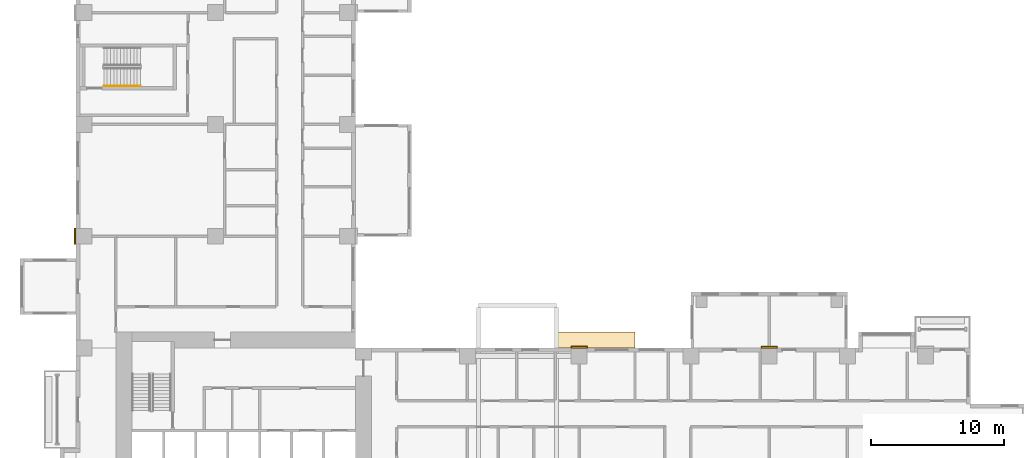
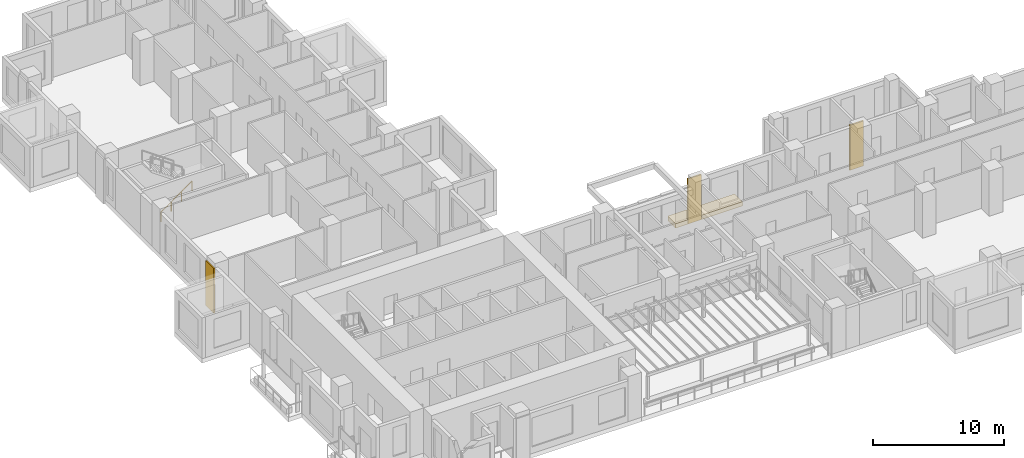
# One storey, part 15 of 17: 4 coverings, 1 railing.
"""IFC4 building model written with IfcOpenShell, lengths in metres."""

import ifcopenshell
import ifcopenshell.guid

model = None  # the IFC model being written
_history = None  # IfcOwnerHistory: only IFC2X3 demands one
_inside = {}  # id of a spatial element -> (the spatial element, [elements in it])
_under = {}  # id of a project, library or spatial element -> (it, [spatial elements below it])
_declared = {}  # id of a project -> (the project, [libraries it declares])
_typed = {}  # id of a type object -> (the type object, [elements of that type])
_made_of = {}  # id of a material, layer set ... -> (it, [elements and type objects made of it])


def new_model(schema):
    """Start an empty IFC model of exactly this schema.

    Asked for "IFC4X3", IfcOpenShell would pick the latest addendum, in which some entities
    have other attributes; the version numbers below select the first issue.
    IFC2X3 requires an IfcOwnerHistory on every rooted entity: one is made here for all.
    """
    global model, _history
    if schema == "IFC4X3":
        model = ifcopenshell.file(schema_version=(4, 3, 0, 0))
    else:
        model = ifcopenshell.file(schema=schema)
    _inside.clear()
    _under.clear()
    _declared.clear()
    _typed.clear()
    _made_of.clear()
    _history = None
    if model.schema == "IFC2X3":
        org = make("IfcOrganization", Name="unknown")
        user = make(
            "IfcPersonAndOrganization",
            ThePerson=make("IfcPerson", FamilyName="unknown"),
            TheOrganization=org,
        )
        app = make(
            "IfcApplication",
            ApplicationDeveloper=org,
            Version="unknown",
            ApplicationFullName="unknown",
            ApplicationIdentifier="unknown",
        )
        _history = make(
            "IfcOwnerHistory",
            OwningUser=user,
            OwningApplication=app,
            ChangeAction="ADDED",
            CreationDate=0,
        )
    return model


def make(cls, **values):
    """One entity of the class cls with the attributes given. An attribute that is None is left unset."""
    return model.create_entity(
        cls, **{name: value for name, value in values.items() if value is not None}
    )


def rooted(cls, **values):
    """An entity with a GlobalId (a new one), such as an element, a storey or a relation."""
    return make(cls, GlobalId=ifcopenshell.guid.new(), OwnerHistory=_history, **values)


def si_unit(unit_type, name, prefix=None):
    """IfcSIUnit, for example si_unit("LENGTHUNIT", "METRE", prefix="MILLI")."""
    return make("IfcSIUnit", UnitType=unit_type, Prefix=prefix, Name=name)


def assignment(units):
    """IfcUnitAssignment: the units of a project."""
    return None if units is None else make("IfcUnitAssignment", Units=units)


def point(xyz):
    """IfcCartesianPoint."""
    return None if xyz is None else make("IfcCartesianPoint", Coordinates=xyz)


def direction(xyz):
    """IfcDirection."""
    return None if xyz is None else make("IfcDirection", DirectionRatios=xyz)


def frame(location, z_axis=None, x_axis=None):
    """IfcAxis2Placement3D, a coordinate frame: its origin and axes. An axis left out is left unset."""
    return make(
        "IfcAxis2Placement3D",
        Location=point(location),
        Axis=direction(z_axis),
        RefDirection=direction(x_axis),
    )


def frame_2d(location, x_axis=None):
    """IfcAxis2Placement2D, a coordinate frame in the plane: its origin and x axis."""
    return make(
        "IfcAxis2Placement2D", Location=point(location), RefDirection=direction(x_axis)
    )


def origin():
    """The frame at (0, 0, 0) with its axes left unset."""
    return frame((0.0, 0.0, 0.0))


def origin_2d():
    """The frame at (0, 0) in the plane with its x axis left unset."""
    return frame_2d((0.0, 0.0))


def place(relative_to, where):
    """IfcLocalPlacement: puts the frame where relative to a parent placement (None: the world)."""
    return make(
        "IfcLocalPlacement", PlacementRelTo=relative_to, RelativePlacement=where
    )


def context(
    kind, dimensions, precision=None, world=None, true_north=None, identifier=None
):
    """IfcGeometricRepresentationContext, for example the 3D "Model" context."""
    return make(
        "IfcGeometricRepresentationContext",
        ContextIdentifier=identifier,
        ContextType=kind,
        CoordinateSpaceDimension=dimensions,
        Precision=precision,
        WorldCoordinateSystem=world,
        TrueNorth=true_north,
    )


def subcontext(parent, identifier, kind, view, scale=None):
    """IfcGeometricRepresentationSubContext, for example "Body" below "Model"."""
    return make(
        "IfcGeometricRepresentationSubContext",
        ContextIdentifier=identifier,
        ContextType=kind,
        ParentContext=parent,
        TargetScale=scale,
        TargetView=view,
    )


def project(units=None, contexts=None):
    """IfcProject with its units and contexts."""
    return rooted(
        "IfcProject",
        Name="project",
        RepresentationContexts=contexts,
        UnitsInContext=assignment(units),
    )


def spatial(cls, under=None, at=None, **own):
    """A site, building, storey or space (cls), placed at a placement, below another one or the project."""
    s = rooted(cls, ObjectPlacement=at, **own)
    if under is not None:
        _under.setdefault(under.id(), (under, []))[1].append(s)
    return s


def polyline(points):
    """IfcPolyline through the points."""
    return make("IfcPolyline", Points=[point(p) for p in points])


def profile(cls, at=None, kind="AREA", **sizes):
    """A parametric profile (cls). Its sizes go by their IFC names, for example OverallWidth=200.0."""
    return make(cls, ProfileType=kind, Position=at, **sizes)


def rectangle(**sizes):
    """IfcRectangleProfileDef."""
    return profile("IfcRectangleProfileDef", **sizes)


def circle(**sizes):
    """IfcCircleProfileDef."""
    return profile("IfcCircleProfileDef", **sizes)


def outline(outer, holes=None, kind="AREA"):
    """IfcArbitraryClosedProfileDef: a profile drawn as a closed curve; with holes, ...WithVoids."""
    if holes is None:
        return make("IfcArbitraryClosedProfileDef", ProfileType=kind, OuterCurve=outer)
    return make(
        "IfcArbitraryProfileDefWithVoids",
        ProfileType=kind,
        OuterCurve=outer,
        InnerCurves=holes,
    )


def extrude(swept, where, along, depth):
    """IfcExtrudedAreaSolid: the profile swept, set in the frame where, extruded along a direction by depth."""
    return make(
        "IfcExtrudedAreaSolid",
        SweptArea=swept,
        Position=where,
        ExtrudedDirection=direction(along),
        Depth=depth,
    )


def shape(context_of_items, identifier, shape_type, items):
    """IfcShapeRepresentation: the items that make up one representation, for example the "Body"."""
    return make(
        "IfcShapeRepresentation",
        ContextOfItems=context_of_items,
        RepresentationIdentifier=identifier,
        RepresentationType=shape_type,
        Items=items,
    )


def source(mapping_origin, context_of_items, identifier, shape_type, items):
    """IfcRepresentationMap: a shape defined once, which mapped items show again and again."""
    return make(
        "IfcRepresentationMap",
        MappingOrigin=mapping_origin,
        MappedRepresentation=shape(context_of_items, identifier, shape_type, items),
    )


def transform(
    local_origin,
    x_axis=None,
    y_axis=None,
    z_axis=None,
    scale=None,
    scale2=None,
    scale3=None,
    uniform=True,
):
    """IfcCartesianTransformationOperator3D, or its non-uniform kind. x_axis, y_axis, z_axis: its Axis1, 2, 3."""
    if uniform:
        return make(
            "IfcCartesianTransformationOperator3D",
            Axis1=direction(x_axis),
            Axis2=direction(y_axis),
            LocalOrigin=point(local_origin),
            Scale=scale,
            Axis3=direction(z_axis),
        )
    return make(
        "IfcCartesianTransformationOperator3DnonUniform",
        Axis1=direction(x_axis),
        Axis2=direction(y_axis),
        LocalOrigin=point(local_origin),
        Scale=scale,
        Axis3=direction(z_axis),
        Scale2=scale2,
        Scale3=scale3,
    )


def mapped(mapping_source, mapping_target):
    """IfcMappedItem: shows the shape of a source again, moved by a transform."""
    return make(
        "IfcMappedItem", MappingSource=mapping_source, MappingTarget=mapping_target
    )


def material(Name=None, Category=None):
    """IfcMaterial."""
    return make("IfcMaterial", Name=Name, Category=Category)


def made_of(thing, what):
    """Note that an element or type object is made of a material, layer set ...; save() writes the relation."""
    if what is not None:
        _made_of.setdefault(what.id(), (what, []))[1].append(thing)
    return thing


def type_object(cls, material=None, **own):
    """A type object (cls), such as IfcWallType, which elements share."""
    return made_of(rooted(cls, **own), material)


def element(
    cls,
    number,
    at=None,
    inside=None,
    cuts=None,
    type_object=None,
    material=None,
    context=None,
    identifier="Body",
    shape_type=None,
    held_by="IfcProductDefinitionShape",
    body=None,
    shapes=None,
    **own,
):
    """One element of the class cls, such as IfcWall. Its Tag is "e" and its number.

    at: its placement. inside: the storey or other place that contains it. cuts: it is an
    opening in that element (IfcRelVoidsElement). A single representation is given by context,
    identifier, shape_type and body (its items); several are given by shapes. held_by: the class
    of the entity that holds the representations. save() writes the other relations.
    """
    e = rooted(cls, Tag="e%d" % number, ObjectPlacement=at, **own)
    if body is not None:
        shapes = [shape(context, identifier, shape_type, body)]
    if shapes is not None:
        e.Representation = make(held_by, Representations=shapes)
    if inside is not None:
        _inside.setdefault(inside.id(), (inside, []))[1].append(e)
    if cuts is not None:
        rooted(
            "IfcRelVoidsElement", RelatingBuildingElement=cuts, RelatedOpeningElement=e
        )
    if type_object is not None:
        _typed.setdefault(type_object.id(), (type_object, []))[1].append(e)
    return made_of(e, material)


def aggregate(whole, parts):
    """IfcRelAggregates: a whole, such as a stair, and the parts it consists of."""
    return rooted("IfcRelAggregates", RelatingObject=whole, RelatedObjects=parts)


def save(model, path):
    """Write the relations noted so far, then the file.

    IfcRelAggregates (storeys below a building ...), IfcRelContainedInSpatialStructure (elements
    in a storey), IfcRelDefinesByType, IfcRelAssociatesMaterial and IfcRelDeclares: one each for
    every whole, place, type object, material and project.
    """
    for whole, parts in _under.values():
        aggregate(whole, parts)
    for where, things in _inside.values():
        rooted(
            "IfcRelContainedInSpatialStructure",
            RelatedElements=things,
            RelatingStructure=where,
        )
    for kind, things in _typed.values():
        rooted("IfcRelDefinesByType", RelatedObjects=things, RelatingType=kind)
    for what, things in _made_of.values():
        rooted("IfcRelAssociatesMaterial", RelatedObjects=things, RelatingMaterial=what)
    for by, libraries in _declared.values():
        rooted("IfcRelDeclares", RelatingContext=by, RelatedDefinitions=libraries)
    model.write(path)


model = new_model("IFC4")

# Units and contexts
model_context = context("Model", 3, precision=1e-05, world=origin(), true_north=direction((0.0, 1.0)))
body_context = subcontext(model_context, "Body", "Model", "MODEL_VIEW")
ifc_project = project(units=[si_unit("LENGTHUNIT", "METRE"), si_unit("AREAUNIT", "SQUARE_METRE"), si_unit("VOLUMEUNIT", "CUBIC_METRE"), si_unit("PLANEANGLEUNIT", "RADIAN"), si_unit("MASSUNIT", "GRAM", prefix="KILO")], contexts=[model_context])

# Site, building, storey
site_placement = place(None, origin())
site = spatial("IfcSite", under=ifc_project, at=site_placement, CompositionType="ELEMENT")
building_placement = place(site_placement, origin())
building = spatial("IfcBuilding", under=site, at=building_placement, Name="Aurelian Terraces", CompositionType="ELEMENT")
storey_placement = place(building_placement, frame((0.0, 0.0, 48.9)))
storey = spatial("IfcBuildingStorey", under=building, at=storey_placement, Name="L09", CompositionType="ELEMENT", Elevation=48.9)

# Coverings
ifc_material_1 = material(Name="Terracotta roof tiles on membrane", Category="masonry")
covering_type_1 = type_object("IfcCoveringType", Name="Bay roof cover", PredefinedType="ROOFING", material=ifc_material_1)
covering_1_placement = place(storey_placement, frame((0.0, 0.0, -0.4)))
element("IfcCovering", 1, at=covering_1_placement, inside=storey, type_object=covering_type_1, Name="Bay roof L09 36.12_21.00_42.00_22.20", PredefinedType="ROOFING", context=body_context, shape_type="SweptSolid", body=[
    extrude(outline(polyline([(36.12, 21.0), (36.12, 22.2), (42.0, 22.2), (42.0, 21.0), (36.12, 21.0)])), origin(), (0.0, 0.0, 1.0), 0.4),
])
ifc_material_2 = material(Name="Terracotta rainscreen cladding relief", Category="masonry")
covering_type_2 = type_object("IfcCoveringType", Name="BAGUETTE-TC", PredefinedType="CLADDING", material=ifc_material_2)
shared_shape_1 = source(origin(), body_context, "Body", "SweptSolid", [
    extrude(rectangle(XDim=1.2, YDim=0.12, at=origin_2d()), origin(), (0.0, 0.0, 1.0), 4.2),
])
for number, where, z_axis, x_axis, name in (
    (2, (37.8, 21.06, -0.4), (0.0, 0.0, 1.0), (1.0, 0.0, 0.0), "BAGUETTE pier L09 5"),
    (3, (52.08, 21.06, -0.4), (0.0, 0.0, 1.0), (1.0, 0.0, 0.0), "BAGUETTE pier L09 6"),
):
    element("IfcCovering", number, at=place(storey_placement, frame(where, z_axis=z_axis, x_axis=x_axis)), inside=storey, type_object=covering_type_2, Name=name, PredefinedType="CLADDING", context=body_context, shape_type="MappedRepresentation", body=[
        mapped(shared_shape_1, transform((0.0, 0.0, 0.0), scale=1.0)),
    ])
shared_shape_2 = source(origin(), body_context, "Body", "SweptSolid", [
    extrude(rectangle(XDim=0.12, YDim=1.2, at=origin_2d()), origin(), (0.0, 0.0, 1.0), 4.2),
])
covering_2_placement = place(storey_placement, frame((-0.06, 29.4, -0.4), z_axis=(0.0, 0.0, 1.0), x_axis=(1.0, 0.0, 0.0)))
element("IfcCovering", 4, at=covering_2_placement, inside=storey, type_object=covering_type_2, Name="BAGUETTE pier L09 8", PredefinedType="CLADDING", context=body_context, shape_type="MappedRepresentation", body=[
    mapped(shared_shape_2, transform((0.0, 0.0, 0.0), scale=1.0)),
])

# Railing
ifc_material_3 = material(Name="Stainless steel", Category="steel")
railing_type = type_object("IfcRailingType", Name="Stair handrail", PredefinedType="HANDRAIL", material=ifc_material_3)
shared_shape_3 = source(origin(), body_context, "Body", "SweptSolid", [
    extrude(circle(Radius=0.024, at=origin_2d()), frame((0.0, 0.0, 0.876), z_axis=(0.819231920519, 0.0, 0.573462344363), x_axis=(0.0, 1.0, 0.0)), (0.0, 0.0, 1.0), 3.3568),
    extrude(circle(Radius=0.021, at=origin_2d()), origin(), (0.0, 0.0, 1.0), 0.852),
    extrude(circle(Radius=0.021, at=origin_2d()), frame((0.9167, 0.0, 0.6417)), (0.0, 0.0, 1.0), 0.852),
    extrude(circle(Radius=0.021, at=origin_2d()), frame((1.8333, 0.0, 1.2833)), (0.0, 0.0, 1.0), 0.852),
    extrude(circle(Radius=0.021, at=origin_2d()), frame((2.75, 0.0, 1.925)), (0.0, 0.0, 1.0), 0.852),
])
railing_placement = place(storey_placement, frame((2.1, 40.7, 0.175)))
element("IfcRailing", 5, at=railing_placement, inside=storey, type_object=railing_type, Name="L09 S3 stair handrail 1", PredefinedType="HANDRAIL", context=body_context, shape_type="MappedRepresentation", body=[
    mapped(shared_shape_3, transform((0.0, 0.0, 0.0), scale=1.0)),
])

save(model, "model.ifc")
